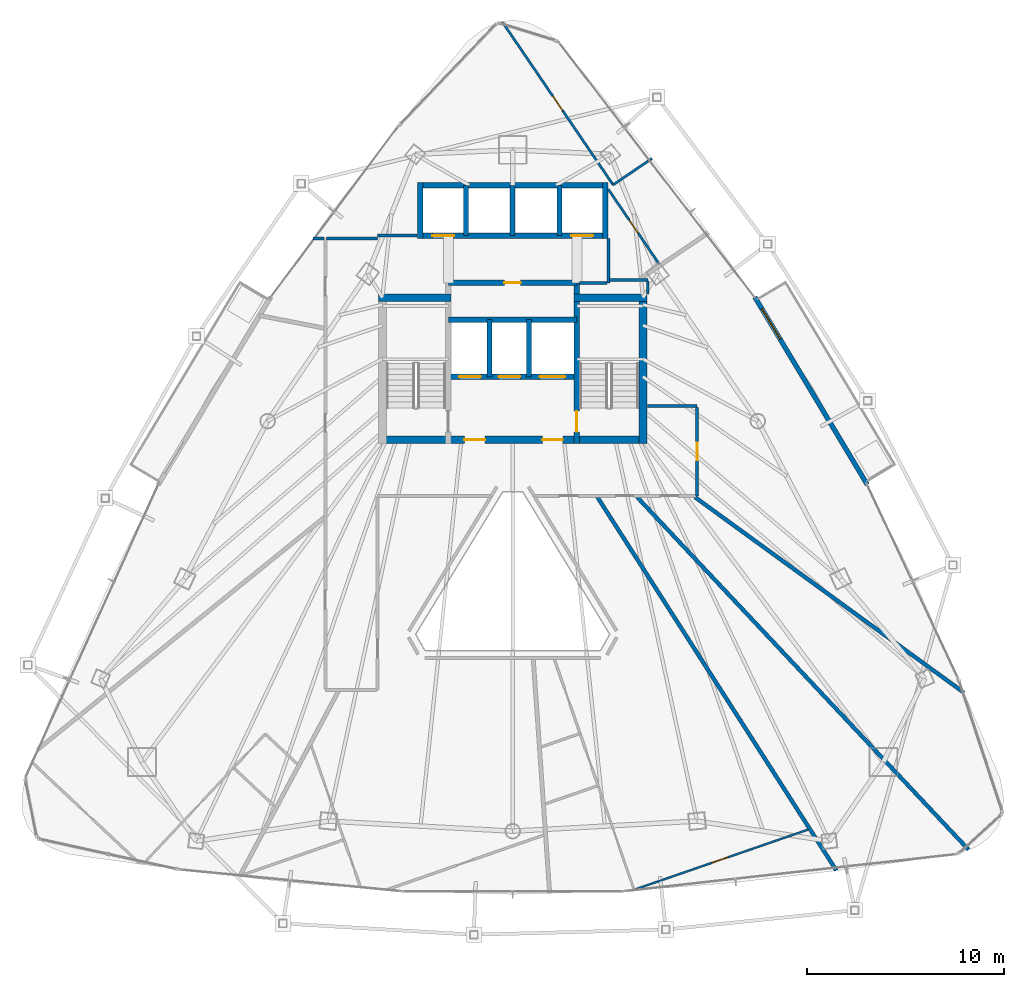
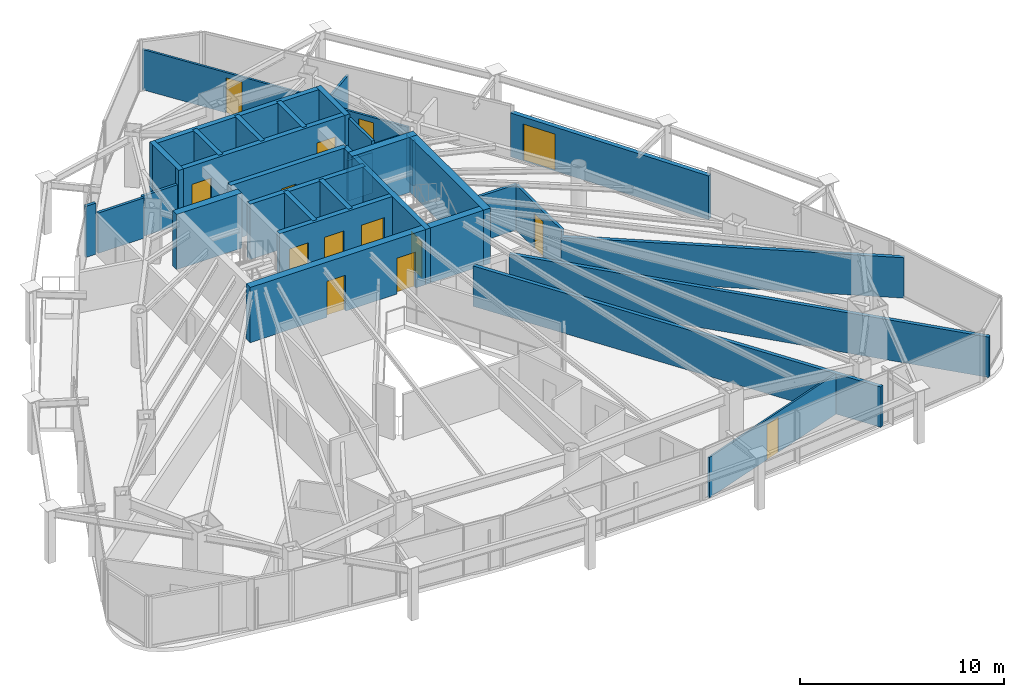
# One storey, part 25 of 29: 34 walls, 14 doors, 14 openings.
"""IFC4 building model written with IfcOpenShell, lengths in metres."""

import ifcopenshell
import ifcopenshell.guid

model = None  # the IFC model being written
_history = None  # IfcOwnerHistory: only IFC2X3 demands one
_inside = {}  # id of a spatial element -> (the spatial element, [elements in it])
_under = {}  # id of a project, library or spatial element -> (it, [spatial elements below it])
_declared = {}  # id of a project -> (the project, [libraries it declares])
_typed = {}  # id of a type object -> (the type object, [elements of that type])
_made_of = {}  # id of a material, layer set ... -> (it, [elements and type objects made of it])


def new_model(schema):
    """Start an empty IFC model of exactly this schema.

    Asked for "IFC4X3", IfcOpenShell would pick the latest addendum, in which some entities
    have other attributes; the version numbers below select the first issue.
    IFC2X3 requires an IfcOwnerHistory on every rooted entity: one is made here for all.
    """
    global model, _history
    if schema == "IFC4X3":
        model = ifcopenshell.file(schema_version=(4, 3, 0, 0))
    else:
        model = ifcopenshell.file(schema=schema)
    _inside.clear()
    _under.clear()
    _declared.clear()
    _typed.clear()
    _made_of.clear()
    _history = None
    if model.schema == "IFC2X3":
        org = make("IfcOrganization", Name="unknown")
        user = make(
            "IfcPersonAndOrganization",
            ThePerson=make("IfcPerson", FamilyName="unknown"),
            TheOrganization=org,
        )
        app = make(
            "IfcApplication",
            ApplicationDeveloper=org,
            Version="unknown",
            ApplicationFullName="unknown",
            ApplicationIdentifier="unknown",
        )
        _history = make(
            "IfcOwnerHistory",
            OwningUser=user,
            OwningApplication=app,
            ChangeAction="ADDED",
            CreationDate=0,
        )
    return model


def make(cls, **values):
    """One entity of the class cls with the attributes given. An attribute that is None is left unset."""
    return model.create_entity(
        cls, **{name: value for name, value in values.items() if value is not None}
    )


def rooted(cls, **values):
    """An entity with a GlobalId (a new one), such as an element, a storey or a relation."""
    return make(cls, GlobalId=ifcopenshell.guid.new(), OwnerHistory=_history, **values)


def si_unit(unit_type, name, prefix=None):
    """IfcSIUnit, for example si_unit("LENGTHUNIT", "METRE", prefix="MILLI")."""
    return make("IfcSIUnit", UnitType=unit_type, Prefix=prefix, Name=name)


def assignment(units):
    """IfcUnitAssignment: the units of a project."""
    return None if units is None else make("IfcUnitAssignment", Units=units)


def point(xyz):
    """IfcCartesianPoint."""
    return None if xyz is None else make("IfcCartesianPoint", Coordinates=xyz)


def direction(xyz):
    """IfcDirection."""
    return None if xyz is None else make("IfcDirection", DirectionRatios=xyz)


def frame(location, z_axis=None, x_axis=None):
    """IfcAxis2Placement3D, a coordinate frame: its origin and axes. An axis left out is left unset."""
    return make(
        "IfcAxis2Placement3D",
        Location=point(location),
        Axis=direction(z_axis),
        RefDirection=direction(x_axis),
    )


def frame_2d(location, x_axis=None):
    """IfcAxis2Placement2D, a coordinate frame in the plane: its origin and x axis."""
    return make(
        "IfcAxis2Placement2D", Location=point(location), RefDirection=direction(x_axis)
    )


def origin():
    """The frame at (0, 0, 0) with its axes left unset."""
    return frame((0.0, 0.0, 0.0))


def place(relative_to, where):
    """IfcLocalPlacement: puts the frame where relative to a parent placement (None: the world)."""
    return make(
        "IfcLocalPlacement", PlacementRelTo=relative_to, RelativePlacement=where
    )


def context(
    kind, dimensions, precision=None, world=None, true_north=None, identifier=None
):
    """IfcGeometricRepresentationContext, for example the 3D "Model" context."""
    return make(
        "IfcGeometricRepresentationContext",
        ContextIdentifier=identifier,
        ContextType=kind,
        CoordinateSpaceDimension=dimensions,
        Precision=precision,
        WorldCoordinateSystem=world,
        TrueNorth=true_north,
    )


def subcontext(parent, identifier, kind, view, scale=None):
    """IfcGeometricRepresentationSubContext, for example "Body" below "Model"."""
    return make(
        "IfcGeometricRepresentationSubContext",
        ContextIdentifier=identifier,
        ContextType=kind,
        ParentContext=parent,
        TargetScale=scale,
        TargetView=view,
    )


def project(units=None, contexts=None):
    """IfcProject with its units and contexts."""
    return rooted(
        "IfcProject",
        Name="project",
        RepresentationContexts=contexts,
        UnitsInContext=assignment(units),
    )


def spatial(cls, under=None, at=None, **own):
    """A site, building, storey or space (cls), placed at a placement, below another one or the project."""
    s = rooted(cls, ObjectPlacement=at, **own)
    if under is not None:
        _under.setdefault(under.id(), (under, []))[1].append(s)
    return s


def profile(cls, at=None, kind="AREA", **sizes):
    """A parametric profile (cls). Its sizes go by their IFC names, for example OverallWidth=200.0."""
    return make(cls, ProfileType=kind, Position=at, **sizes)


def rectangle(**sizes):
    """IfcRectangleProfileDef."""
    return profile("IfcRectangleProfileDef", **sizes)


def extrude(swept, where, along, depth):
    """IfcExtrudedAreaSolid: the profile swept, set in the frame where, extruded along a direction by depth."""
    return make(
        "IfcExtrudedAreaSolid",
        SweptArea=swept,
        Position=where,
        ExtrudedDirection=direction(along),
        Depth=depth,
    )


def shape(context_of_items, identifier, shape_type, items):
    """IfcShapeRepresentation: the items that make up one representation, for example the "Body"."""
    return make(
        "IfcShapeRepresentation",
        ContextOfItems=context_of_items,
        RepresentationIdentifier=identifier,
        RepresentationType=shape_type,
        Items=items,
    )


def material(Name=None, Category=None):
    """IfcMaterial."""
    return make("IfcMaterial", Name=Name, Category=Category)


def layer(
    of_material, thickness, ventilated=None, Name=None, Category=None, Priority=None
):
    """IfcMaterialLayer: one layer of a wall or slab, of a material (None: an air gap)."""
    return make(
        "IfcMaterialLayer",
        Material=of_material,
        LayerThickness=thickness,
        IsVentilated=ventilated,
        Name=Name,
        Category=Category,
        Priority=Priority,
    )


def layer_set(layers, Name=None):
    """IfcMaterialLayerSet."""
    return make("IfcMaterialLayerSet", MaterialLayers=layers, LayerSetName=Name)


def made_of(thing, what):
    """Note that an element or type object is made of a material, layer set ...; save() writes the relation."""
    if what is not None:
        _made_of.setdefault(what.id(), (what, []))[1].append(thing)
    return thing


def type_object(cls, material=None, **own):
    """A type object (cls), such as IfcWallType, which elements share."""
    return made_of(rooted(cls, **own), material)


def element(
    cls,
    number,
    at=None,
    inside=None,
    cuts=None,
    type_object=None,
    material=None,
    context=None,
    identifier="Body",
    shape_type=None,
    held_by="IfcProductDefinitionShape",
    body=None,
    shapes=None,
    **own,
):
    """One element of the class cls, such as IfcWall. Its Tag is "e" and its number.

    at: its placement. inside: the storey or other place that contains it. cuts: it is an
    opening in that element (IfcRelVoidsElement). A single representation is given by context,
    identifier, shape_type and body (its items); several are given by shapes. held_by: the class
    of the entity that holds the representations. save() writes the other relations.
    """
    e = rooted(cls, Tag="e%d" % number, ObjectPlacement=at, **own)
    if body is not None:
        shapes = [shape(context, identifier, shape_type, body)]
    if shapes is not None:
        e.Representation = make(held_by, Representations=shapes)
    if inside is not None:
        _inside.setdefault(inside.id(), (inside, []))[1].append(e)
    if cuts is not None:
        rooted(
            "IfcRelVoidsElement", RelatingBuildingElement=cuts, RelatedOpeningElement=e
        )
    if type_object is not None:
        _typed.setdefault(type_object.id(), (type_object, []))[1].append(e)
    return made_of(e, material)


def fill(opening, filler):
    """IfcRelFillsElement: the door or window that sits in an opening."""
    return rooted(
        "IfcRelFillsElement",
        RelatingOpeningElement=opening,
        RelatedBuildingElement=filler,
    )


def aggregate(whole, parts):
    """IfcRelAggregates: a whole, such as a stair, and the parts it consists of."""
    return rooted("IfcRelAggregates", RelatingObject=whole, RelatedObjects=parts)


def save(model, path):
    """Write the relations noted so far, then the file.

    IfcRelAggregates (storeys below a building ...), IfcRelContainedInSpatialStructure (elements
    in a storey), IfcRelDefinesByType, IfcRelAssociatesMaterial and IfcRelDeclares: one each for
    every whole, place, type object, material and project.
    """
    for whole, parts in _under.values():
        aggregate(whole, parts)
    for where, things in _inside.values():
        rooted(
            "IfcRelContainedInSpatialStructure",
            RelatedElements=things,
            RelatingStructure=where,
        )
    for kind, things in _typed.values():
        rooted("IfcRelDefinesByType", RelatedObjects=things, RelatingType=kind)
    for what, things in _made_of.values():
        rooted("IfcRelAssociatesMaterial", RelatedObjects=things, RelatingMaterial=what)
    for by, libraries in _declared.values():
        rooted("IfcRelDeclares", RelatingContext=by, RelatedDefinitions=libraries)
    model.write(path)


model = new_model("IFC4")

# Units and contexts
model_context = context("Model", 3, precision=1e-05, world=origin(), true_north=direction((0.0, 1.0)))
body_context = subcontext(model_context, "Body", "Model", "MODEL_VIEW")
ifc_project = project(units=[si_unit("LENGTHUNIT", "METRE"), si_unit("AREAUNIT", "SQUARE_METRE"), si_unit("VOLUMEUNIT", "CUBIC_METRE"), si_unit("PLANEANGLEUNIT", "RADIAN"), si_unit("MASSUNIT", "GRAM", prefix="KILO")], contexts=[model_context])

# Site, building, storey
site_placement = place(None, origin())
site = spatial("IfcSite", under=ifc_project, at=site_placement, CompositionType="ELEMENT")
building_placement = place(site_placement, origin())
building = spatial("IfcBuilding", under=site, at=building_placement, Name="Orvanel Arch Residences", CompositionType="ELEMENT")
storey_placement = place(building_placement, frame((0.0, 0.0, 167.14990234375)))
storey = spatial("IfcBuildingStorey", under=building, at=storey_placement, Name="L47", CompositionType="ELEMENT", Elevation=167.14990234375)

# Wall, opening, door
ifc_material_1 = material(Name="Precast concrete N50 (50 MPa)", Category="concrete")
ifc_layer_1 = layer(ifc_material_1, 0.239990234375)
ifc_layer_set_1 = layer_set([ifc_layer_1], Name="Precast concrete N50 (50 MPa)")
wall_type_1 = type_object("IfcWallType", Name="EW-BAL-240", PredefinedType="SOLIDWALL", material=ifc_layer_set_1)
wall_1_placement = place(storey_placement, frame((50.987060546875, 24.4208984375, 0.0), z_axis=(0.0, 0.0, 1.0), x_axis=(-0.514334017412, 0.85758994778, 0.0)))
wall_1 = element("IfcWall", 1, at=wall_1_placement, inside=storey, type_object=wall_type_1, Name="L47 Balcony Threshold Wall Face 3", PredefinedType="SOLIDWALL", context=body_context, shape_type="SweptSolid", body=[
    extrude(rectangle(XDim=11.099853515625, YDim=0.239990234375, at=frame_2d((5.5498046875, 0.0))), origin(), (0.0, 0.0, 1.0), 2.6240234375),
])
opening_1_placement = place(wall_1_placement, frame((8.60205078125, 0.0, 0.0)))
opening_1 = element("IfcOpeningElement", 2, at=opening_1_placement, cuts=wall_1, Name="Opening DB-180", PredefinedType="OPENING", context=body_context, shape_type="SweptSolid", body=[
    extrude(rectangle(XDim=1.800048828125, YDim=2.199951171875, at=frame_2d((0.89990234375, 1.10009765625))), frame((0.0, 0.1298828125, 0.0), z_axis=(0.0, -1.0, 0.0), x_axis=(1.0, 0.0, 0.0)), (0.0, 0.0, 1.0), 0.260009765625),
])
ifc_material_2 = material(Name="Bronze-anodised aluminium AA6063-T6", Category="aluminium")
door_type_1 = type_object("IfcDoorType", Name="DR-BAL-1800", OperationType="NOTDEFINED", PredefinedType="DOOR", material=ifc_material_2)
door_1_placement = place(opening_1_placement, origin())
door_1 = element("IfcDoor", 3, at=door_1_placement, inside=storey, type_object=door_type_1, Name="DR-L47-BAL-F3 L47 Planted Balcony Access Door Face 3", OperationType="SINGLE_SWING_RIGHT", OverallHeight=2.199951171875, OverallWidth=1.800048828125, PredefinedType="DOOR", context=body_context, shape_type="SweptSolid", body=[
    extrude(rectangle(XDim=1.800048828125, YDim=2.199951171875, at=frame_2d((0.89990234375, 1.10009765625))), frame((0.0, 0.02490234375, 0.0), z_axis=(0.0, -1.0, 0.0), x_axis=(1.0, 0.0, 0.0)), (0.0, 0.0, 1.0), 0.050048828125),
])
fill(opening_1, door_1)

# Walls
ifc_material_3 = material(Name="Concrete N50 (50 MPa)", Category="concrete")
ifc_layer_2 = layer(ifc_material_3, 0.25)
ifc_layer_set_2 = layer_set([ifc_layer_2], Name="Concrete N50 (50 MPa)")
wall_type_2 = type_object("IfcWallType", Name="SW-CORE-250", PredefinedType="SHEAR", material=ifc_layer_set_2)
for number, where, z_axis, x_axis, name in (
    (4, (31.824951171875, 29.889892578125, 0.0), (0.0, 0.0, 1.0), (0.0, 1.0, 0.0), "L47 Emergency Lift Inter-Shaft Wall F12"),
    (5, (33.824951171875, 29.889892578125, 0.0), (0.0, 0.0, 1.0), (0.0, 1.0, 0.0), "L47 Emergency Lift Inter-Shaft Wall F2G"),
):
    element("IfcWall", number, at=place(storey_placement, frame(where, z_axis=z_axis, x_axis=x_axis)), inside=storey, type_object=wall_type_2, Name=name, PredefinedType="SHEAR", context=body_context, shape_type="SweptSolid", body=[
        extrude(rectangle(XDim=2.900146484375, YDim=0.25, at=frame_2d((1.4501953125, 0.0))), origin(), (0.0, 0.0, 1.0), 3.300048828125),
    ])
for number, where, z_axis, x_axis, name in (
    (6, (30.625, 37.050048828125, 0.0), (0.0, 0.0, 1.0), (0.0, 1.0, 0.0), "L47 Passenger Lift Inter-Shaft Wall P35"),
    (7, (33.0, 37.050048828125, 0.0), (0.0, 0.0, 1.0), (0.0, 1.0, 0.0), "L47 Passenger Lift Inter-Shaft Wall P56"),
    (8, (35.375, 37.050048828125, 0.0), (0.0, 0.0, 1.0), (0.0, 1.0, 0.0), "L47 Passenger Lift Inter-Shaft Wall P64"),
):
    element("IfcWall", number, at=place(storey_placement, frame(where, z_axis=z_axis, x_axis=x_axis)), inside=storey, type_object=wall_type_2, Name=name, PredefinedType="SHEAR", context=body_context, shape_type="SweptSolid", body=[
        extrude(rectangle(XDim=2.550048828125, YDim=0.25, at=frame_2d((1.27490234375, 0.0))), origin(), (0.0, 0.0, 1.0), 3.300048828125),
    ])

# Wall, opening, door
ifc_material_4 = material(Name="Concrete S65 (65 MPa)", Category="concrete")
ifc_layer_3 = layer(ifc_material_4, 0.280029296875)
ifc_layer_set_3 = layer_set([ifc_layer_3], Name="Concrete S65 (65 MPa)")
wall_type_3 = type_object("IfcWallType", Name="SW-CORE-280", PredefinedType="SHEAR", material=ifc_layer_set_3)
wall_2_placement = place(storey_placement, frame((36.260009765625, 26.5, 0.0), z_axis=(0.0, 0.0, 1.0), x_axis=(0.0, 1.0, 0.0)))
wall_2 = element("IfcWall", 9, at=wall_2_placement, inside=storey, type_object=wall_type_3, Name="L47 East Inner Core Spine Shear Wall", PredefinedType="SHEAR", context=body_context, shape_type="SweptSolid", body=[
    extrude(rectangle(XDim=8.14990234375, YDim=0.280029296875, at=frame_2d((4.074951171875, 0.0))), origin(), (0.0, 0.0, 1.0), 3.300048828125),
])
opening_2_placement = place(wall_2_placement, frame((0.60009765625, 0.0, 0.0)))
opening_2 = element("IfcOpeningElement", 10, at=opening_2_placement, cuts=wall_2, Name="Opening DF-120", PredefinedType="OPENING", context=body_context, shape_type="SweptSolid", body=[
    extrude(rectangle(XDim=1.050048828125, YDim=2.14990234375, at=frame_2d((0.52490234375, 1.074951171875))), frame((0.0, 0.14990234375, 0.0), z_axis=(0.0, -1.0, 0.0), x_axis=(1.0, 0.0, 0.0)), (0.0, 0.0, 1.0), 0.300048828125),
])
ifc_material_5 = material(Name="Galvanised steel fire-resisting door assembly", Category="steel")
door_type_2 = type_object("IfcDoorType", Name="DR-FD120-1050", OperationType="NOTDEFINED", PredefinedType="DOOR", material=ifc_material_5)
door_2_placement = place(opening_2_placement, origin())
door_2 = element("IfcDoor", 11, at=door_2_placement, inside=storey, type_object=door_type_2, Name="DR-L47-ST2 L47 Stair 2 Fire Door", OperationType="SINGLE_SWING_RIGHT", OverallHeight=2.14990234375, OverallWidth=1.050048828125, PredefinedType="DOOR", context=body_context, shape_type="SweptSolid", body=[
    extrude(rectangle(XDim=1.050048828125, YDim=2.14990234375, at=frame_2d((0.52490234375, 1.074951171875))), frame((0.0, 0.02490234375, 0.0), z_axis=(0.0, -1.0, 0.0), x_axis=(1.0, 0.0, 0.0)), (0.0, 0.0, 1.0), 0.050048828125),
])
fill(opening_2, door_2)

# Wall, openings, doors
wall_3_placement = place(storey_placement, frame((36.260009765625, 29.889892578125, 0.0), z_axis=(0.0, 0.0, 1.0), x_axis=(-1.0, 0.0, 0.0)))
wall_3 = element("IfcWall", 12, at=wall_3_placement, inside=storey, type_object=wall_type_3, Name="L47 Emergency Lift Front Core Shear Wall", PredefinedType="SHEAR", context=body_context, shape_type="SweptSolid", body=[
    extrude(rectangle(XDim=6.52001953125, YDim=0.280029296875, at=frame_2d((3.260009765625, 0.0))), origin(), (0.0, 0.0, 1.0), 3.300048828125),
])
opening_3_placement = place(wall_3_placement, frame((4.875, 0.0, 0.0)))
opening_3 = element("IfcOpeningElement", 13, at=opening_3_placement, cuts=wall_3, Name="Opening LD-110", PredefinedType="OPENING", context=body_context, shape_type="SweptSolid", body=[
    extrude(rectangle(XDim=1.10009765625, YDim=2.199951171875, at=frame_2d((0.550048828125, 1.10009765625))), frame((0.0, 0.14990234375, 0.0), z_axis=(0.0, -1.0, 0.0), x_axis=(1.0, 0.0, 0.0)), (0.0, 0.0, 1.0), 0.300048828125),
])
opening_4_placement = place(wall_3_placement, frame((2.875, 0.0, 0.0)))
opening_4 = element("IfcOpeningElement", 14, at=opening_4_placement, cuts=wall_3, Name="Opening LD-110", PredefinedType="OPENING", context=body_context, shape_type="SweptSolid", body=[
    extrude(rectangle(XDim=1.10009765625, YDim=2.199951171875, at=frame_2d((0.550048828125, 1.10009765625))), frame((0.0, 0.14990234375, 0.0), z_axis=(0.0, -1.0, 0.0), x_axis=(1.0, 0.0, 0.0)), (0.0, 0.0, 1.0), 0.300048828125),
])
opening_5_placement = place(wall_3_placement, frame((0.60009765625, 0.0, 0.0)))
opening_5 = element("IfcOpeningElement", 15, at=opening_5_placement, cuts=wall_3, Name="Opening LD-130", PredefinedType="OPENING", context=body_context, shape_type="SweptSolid", body=[
    extrude(rectangle(XDim=1.300048828125, YDim=2.199951171875, at=frame_2d((0.64990234375, 1.10009765625))), frame((0.0, 0.14990234375, 0.0), z_axis=(0.0, -1.0, 0.0), x_axis=(1.0, 0.0, 0.0)), (0.0, 0.0, 1.0), 0.300048828125),
])
door_type_3 = type_object("IfcDoorType", Name="DR-LFT-1100", OperationType="NOTDEFINED", PredefinedType="DOOR", material=ifc_material_5)
door_3_placement = place(opening_3_placement, origin())
door_3 = element("IfcDoor", 16, at=door_3_placement, inside=storey, type_object=door_type_3, Name="LD-F1-L47 L47 Lift F1 Sliding Landing Door", OperationType="DOUBLE_DOOR_SLIDING", OverallHeight=2.199951171875, OverallWidth=1.10009765625, PredefinedType="DOOR", context=body_context, shape_type="SweptSolid", body=[
    extrude(rectangle(XDim=1.10009765625, YDim=2.199951171875, at=frame_2d((0.550048828125, 1.10009765625))), frame((0.0, 0.02490234375, 0.0), z_axis=(0.0, -1.0, 0.0), x_axis=(1.0, 0.0, 0.0)), (0.0, 0.0, 1.0), 0.050048828125),
])
fill(opening_3, door_3)
door_4_placement = place(opening_4_placement, origin())
door_4 = element("IfcDoor", 17, at=door_4_placement, inside=storey, type_object=door_type_3, Name="LD-F2-L47 L47 Lift F2 Sliding Landing Door", OperationType="DOUBLE_DOOR_SLIDING", OverallHeight=2.199951171875, OverallWidth=1.10009765625, PredefinedType="DOOR", context=body_context, shape_type="SweptSolid", body=[
    extrude(rectangle(XDim=1.10009765625, YDim=2.199951171875, at=frame_2d((0.550048828125, 1.10009765625))), frame((0.0, 0.02490234375, 0.0), z_axis=(0.0, -1.0, 0.0), x_axis=(1.0, 0.0, 0.0)), (0.0, 0.0, 1.0), 0.050048828125),
])
fill(opening_4, door_4)
door_type_4 = type_object("IfcDoorType", Name="DR-LFT-1300", OperationType="NOTDEFINED", PredefinedType="DOOR", material=ifc_material_5)
door_5_placement = place(opening_5_placement, origin())
door_5 = element("IfcDoor", 18, at=door_5_placement, inside=storey, type_object=door_type_4, Name="LD-G1-L47 L47 Lift G1 Sliding Landing Door", OperationType="DOUBLE_DOOR_SLIDING", OverallHeight=2.199951171875, OverallWidth=1.300048828125, PredefinedType="DOOR", context=body_context, shape_type="SweptSolid", body=[
    extrude(rectangle(XDim=1.300048828125, YDim=2.199951171875, at=frame_2d((0.64990234375, 1.10009765625))), frame((0.0, 0.02490234375, 0.0), z_axis=(0.0, -1.0, 0.0), x_axis=(1.0, 0.0, 0.0)), (0.0, 0.0, 1.0), 0.050048828125),
])
fill(opening_5, door_5)

# Wall
wall_4_placement = place(storey_placement, frame((29.739990234375, 32.7900390625, 0.0), z_axis=(0.0, 0.0, 1.0), x_axis=(1.0, 0.0, 0.0)))
element("IfcWall", 19, at=wall_4_placement, inside=storey, type_object=wall_type_3, Name="L47 Emergency Lift Back Core Shear Wall", PredefinedType="SHEAR", context=body_context, shape_type="SweptSolid", body=[
    extrude(rectangle(XDim=6.52001953125, YDim=0.280029296875, at=frame_2d((3.260009765625, 0.0))), origin(), (0.0, 0.0, 1.0), 3.300048828125),
])

# Wall, opening, door
wall_5_placement = place(storey_placement, frame((29.739990234375, 34.64990234375, 0.0), z_axis=(0.0, 0.0, 1.0), x_axis=(1.0, 0.0, 0.0)))
wall_5 = element("IfcWall", 20, at=wall_5_placement, inside=storey, type_object=wall_type_3, Name="L47 Core Service Band North Shear Wall", PredefinedType="SHEAR", context=body_context, shape_type="SweptSolid", body=[
    extrude(rectangle(XDim=6.52001953125, YDim=0.280029296875, at=frame_2d((3.260009765625, 0.0))), origin(), (0.0, 0.0, 1.0), 3.300048828125),
])
opening_6_placement = place(wall_5_placement, frame((2.840087890625, 0.0, 0.0)))
opening_6 = element("IfcOpeningElement", 21, at=opening_6_placement, cuts=wall_5, Name="Opening DS-082", PredefinedType="OPENING", context=body_context, shape_type="SweptSolid", body=[
    extrude(rectangle(XDim=0.820068359375, YDim=2.10009765625, at=frame_2d((0.41015625, 1.050048828125))), frame((0.0, 0.14990234375, 0.0), z_axis=(0.0, -1.0, 0.0), x_axis=(1.0, 0.0, 0.0)), (0.0, 0.0, 1.0), 0.300048828125),
])
door_type_5 = type_object("IfcDoorType", Name="DR-SVC-820", OperationType="NOTDEFINED", PredefinedType="DOOR", material=ifc_material_5)
door_6_placement = place(opening_6_placement, origin())
door_6 = element("IfcDoor", 22, at=door_6_placement, inside=storey, type_object=door_type_5, Name="DR-L47-CSVC-1 L47 Housekeeping Linen Store Door", OperationType="SINGLE_SWING_LEFT", OverallHeight=2.10009765625, OverallWidth=0.820068359375, PredefinedType="DOOR", context=body_context, shape_type="SweptSolid", body=[
    extrude(rectangle(XDim=0.820068359375, YDim=2.10009765625, at=frame_2d((0.41015625, 1.050048828125))), frame((0.0, 0.02490234375, 0.0), z_axis=(0.0, -1.0, 0.0), x_axis=(1.0, 0.0, 0.0)), (0.0, 0.0, 1.0), 0.050048828125),
])
fill(opening_6, door_6)

# Wall, openings, doors
wall_6_placement = place(storey_placement, frame((37.840087890625, 37.050048828125, 0.0), z_axis=(0.0, 0.0, 1.0), x_axis=(-1.0, 0.0, 0.0)))
wall_6 = element("IfcWall", 23, at=wall_6_placement, inside=storey, type_object=wall_type_3, Name="L47 Passenger Lift Bank Front Shear Wall", PredefinedType="SHEAR", context=body_context, shape_type="SweptSolid", body=[
    extrude(rectangle(XDim=9.68017578125, YDim=0.280029296875, at=frame_2d((4.840087890625, 0.0))), origin(), (0.0, 0.0, 1.0), 3.300048828125),
])
opening_7_placement = place(wall_6_placement, frame((7.81494140625, 0.0, 0.0)))
opening_7 = element("IfcOpeningElement", 24, at=opening_7_placement, cuts=wall_6, Name="Opening LD-110", PredefinedType="OPENING", context=body_context, shape_type="SweptSolid", body=[
    extrude(rectangle(XDim=1.10009765625, YDim=2.199951171875, at=frame_2d((0.550048828125, 1.10009765625))), frame((0.0, 0.14990234375, 0.0), z_axis=(0.0, -1.0, 0.0), x_axis=(1.0, 0.0, 0.0)), (0.0, 0.0, 1.0), 0.300048828125),
])
opening_8_placement = place(wall_6_placement, frame((0.764892578125, 0.0, 0.0)))
opening_8 = element("IfcOpeningElement", 25, at=opening_8_placement, cuts=wall_6, Name="Opening LD-110", PredefinedType="OPENING", context=body_context, shape_type="SweptSolid", body=[
    extrude(rectangle(XDim=1.10009765625, YDim=2.199951171875, at=frame_2d((0.550048828125, 1.10009765625))), frame((0.0, 0.14990234375, 0.0), z_axis=(0.0, -1.0, 0.0), x_axis=(1.0, 0.0, 0.0)), (0.0, 0.0, 1.0), 0.300048828125),
])
door_7_placement = place(opening_7_placement, origin())
door_7 = element("IfcDoor", 26, at=door_7_placement, inside=storey, type_object=door_type_3, Name="LD-P3-L47 L47 Passenger Lift P3 Sliding Landing Door", OperationType="DOUBLE_DOOR_SLIDING", OverallHeight=2.199951171875, OverallWidth=1.10009765625, PredefinedType="DOOR", context=body_context, shape_type="SweptSolid", body=[
    extrude(rectangle(XDim=1.10009765625, YDim=2.199951171875, at=frame_2d((0.550048828125, 1.10009765625))), frame((0.0, 0.02490234375, 0.0), z_axis=(0.0, -1.0, 0.0), x_axis=(1.0, 0.0, 0.0)), (0.0, 0.0, 1.0), 0.050048828125),
])
fill(opening_7, door_7)
door_8_placement = place(opening_8_placement, origin())
door_8 = element("IfcDoor", 27, at=door_8_placement, inside=storey, type_object=door_type_3, Name="LD-P4-L47 L47 Passenger Lift P4 Sliding Landing Door", OperationType="DOUBLE_DOOR_SLIDING", OverallHeight=2.199951171875, OverallWidth=1.10009765625, PredefinedType="DOOR", context=body_context, shape_type="SweptSolid", body=[
    extrude(rectangle(XDim=1.10009765625, YDim=2.199951171875, at=frame_2d((0.550048828125, 1.10009765625))), frame((0.0, 0.02490234375, 0.0), z_axis=(0.0, -1.0, 0.0), x_axis=(1.0, 0.0, 0.0)), (0.0, 0.0, 1.0), 0.050048828125),
])
fill(opening_8, door_8)

# Walls
wall_7_placement = place(storey_placement, frame((28.159912109375, 39.60009765625, 0.0), z_axis=(0.0, 0.0, 1.0), x_axis=(1.0, 0.0, 0.0)))
element("IfcWall", 28, at=wall_7_placement, inside=storey, type_object=wall_type_3, Name="L47 Passenger Lift Bank North Shear Wall", PredefinedType="SHEAR", context=body_context, shape_type="SweptSolid", body=[
    extrude(rectangle(XDim=9.68017578125, YDim=0.280029296875, at=frame_2d((4.840087890625, 0.0))), origin(), (0.0, 0.0, 1.0), 3.300048828125),
])
for number, where, z_axis, x_axis, name in (
    (29, (28.300048828125, 36.909912109375, 0.0), (0.0, 0.0, 1.0), (0.0, 1.0, 0.0), "L47 Passenger Lift Bank West Shear Wall"),
    (30, (37.699951171875, 36.909912109375, 0.0), (0.0, 0.0, 1.0), (0.0, 1.0, 0.0), "L47 Passenger Lift Bank East Shear Wall"),
):
    element("IfcWall", number, at=place(storey_placement, frame(where, z_axis=z_axis, x_axis=x_axis)), inside=storey, type_object=wall_type_3, Name=name, PredefinedType="SHEAR", context=body_context, shape_type="SweptSolid", body=[
        extrude(rectangle(XDim=2.830078125, YDim=0.280029296875, at=frame_2d((1.4150390625, 0.0))), origin(), (0.0, 0.0, 1.0), 3.300048828125),
    ])

# Wall, openings, doors
ifc_layer_4 = layer(ifc_material_4, 0.39990234375)
ifc_layer_set_4 = layer_set([ifc_layer_4], Name="Concrete S65 (65 MPa)")
wall_type_4 = type_object("IfcWallType", Name="SW-CORE-400", PredefinedType="SHEAR", material=ifc_layer_set_4)
wall_8_placement = place(storey_placement, frame((26.199951171875, 26.699951171875, 0.0), z_axis=(0.0, 0.0, 1.0), x_axis=(1.0, 0.0, 0.0)))
wall_8 = element("IfcWall", 31, at=wall_8_placement, inside=storey, type_object=wall_type_4, Name="L47 South Core Shear Wall", PredefinedType="SHEAR", context=body_context, shape_type="SweptSolid", body=[
    extrude(rectangle(XDim=13.60009765625, YDim=0.39990234375, at=frame_2d((6.800048828125, 0.0))), origin(), (0.0, 0.0, 1.0), 3.300048828125),
])
opening_9_placement = place(wall_8_placement, frame((4.35009765625, 0.0, 0.0)))
opening_9 = element("IfcOpeningElement", 32, at=opening_9_placement, cuts=wall_8, Name="Opening DF-060", PredefinedType="OPENING", context=body_context, shape_type="SweptSolid", body=[
    extrude(rectangle(XDim=1.050048828125, YDim=2.14990234375, at=frame_2d((0.52490234375, 1.074951171875))), frame((0.0, 0.2099609375, 0.0), z_axis=(0.0, -1.0, 0.0), x_axis=(1.0, 0.0, 0.0)), (0.0, 0.0, 1.0), 0.419921875),
])
opening_10_placement = place(wall_8_placement, frame((8.300048828125, 0.0, 0.0)))
opening_10 = element("IfcOpeningElement", 33, at=opening_10_placement, cuts=wall_8, Name="Opening DF-060", PredefinedType="OPENING", context=body_context, shape_type="SweptSolid", body=[
    extrude(rectangle(XDim=1.050048828125, YDim=2.14990234375, at=frame_2d((0.52490234375, 1.074951171875))), frame((0.0, 0.2099609375, 0.0), z_axis=(0.0, -1.0, 0.0), x_axis=(1.0, 0.0, 0.0)), (0.0, 0.0, 1.0), 0.419921875),
])
door_type_6 = type_object("IfcDoorType", Name="DR-FD60-1050", OperationType="NOTDEFINED", PredefinedType="DOOR", material=ifc_material_5)
door_9_placement = place(opening_9_placement, origin())
door_9 = element("IfcDoor", 34, at=door_9_placement, inside=storey, type_object=door_type_6, Name="DR-L47-FFL-W L47 West Smoke Lobby Door", OperationType="SINGLE_SWING_LEFT", OverallHeight=2.14990234375, OverallWidth=1.050048828125, PredefinedType="DOOR", context=body_context, shape_type="SweptSolid", body=[
    extrude(rectangle(XDim=1.050048828125, YDim=2.14990234375, at=frame_2d((0.52490234375, 1.074951171875))), frame((0.0, 0.02490234375, 0.0), z_axis=(0.0, -1.0, 0.0), x_axis=(1.0, 0.0, 0.0)), (0.0, 0.0, 1.0), 0.050048828125),
])
fill(opening_9, door_9)
door_10_placement = place(opening_10_placement, origin())
door_10 = element("IfcDoor", 35, at=door_10_placement, inside=storey, type_object=door_type_6, Name="DR-L47-FFL-E L47 East Smoke Lobby Door", OperationType="SINGLE_SWING_RIGHT", OverallHeight=2.14990234375, OverallWidth=1.050048828125, PredefinedType="DOOR", context=body_context, shape_type="SweptSolid", body=[
    extrude(rectangle(XDim=1.050048828125, YDim=2.14990234375, at=frame_2d((0.52490234375, 1.074951171875))), frame((0.0, 0.02490234375, 0.0), z_axis=(0.0, -1.0, 0.0), x_axis=(1.0, 0.0, 0.0)), (0.0, 0.0, 1.0), 0.050048828125),
])
fill(opening_10, door_10)

# Walls
wall_9_placement = place(storey_placement, frame((26.199951171875, 33.89990234375, 0.0), z_axis=(0.0, 0.0, 1.0), x_axis=(1.0, 0.0, 0.0)))
element("IfcWall", 36, at=wall_9_placement, inside=storey, type_object=wall_type_4, Name="L47 West Stair North Shear Wall", PredefinedType="SHEAR", context=body_context, shape_type="SweptSolid", body=[
    extrude(rectangle(XDim=3.679931640625, YDim=0.39990234375, at=frame_2d((1.83984375, 0.0))), origin(), (0.0, 0.0, 1.0), 3.300048828125),
])
wall_10_placement = place(storey_placement, frame((39.60009765625, 26.5, 0.0), z_axis=(0.0, 0.0, 1.0), x_axis=(0.0, 1.0, 0.0)))
element("IfcWall", 37, at=wall_10_placement, inside=storey, type_object=wall_type_4, Name="L47 East Stair Shear Wall", PredefinedType="SHEAR", context=body_context, shape_type="SweptSolid", body=[
    extrude(rectangle(XDim=7.60009765625, YDim=0.39990234375, at=frame_2d((3.800048828125, 0.0))), origin(), (0.0, 0.0, 1.0), 3.300048828125),
])
wall_11_placement = place(storey_placement, frame((36.1201171875, 33.89990234375, 0.0), z_axis=(0.0, 0.0, 1.0), x_axis=(1.0, 0.0, 0.0)))
element("IfcWall", 38, at=wall_11_placement, inside=storey, type_object=wall_type_4, Name="L47 East Stair North Shear Wall", PredefinedType="SHEAR", context=body_context, shape_type="SweptSolid", body=[
    extrude(rectangle(XDim=3.679931640625, YDim=0.39990234375, at=frame_2d((1.83984375, 0.0))), origin(), (0.0, 0.0, 1.0), 3.300048828125),
])
ifc_material_6 = material(Name="Fire-rated plasterboard lined steel stud partition", Category="steel")
ifc_layer_5 = layer(ifc_material_6, 0.14990234375)
ifc_layer_set_5 = layer_set([ifc_layer_5], Name="Fire-rated plasterboard lined steel stud partition")
wall_type_5 = type_object("IfcWallType", Name="W-COR-150", PredefinedType="PARTITIONING", material=ifc_layer_set_5)
wall_12_placement = place(storey_placement, frame((37.85009765625, 34.64990234375, 0.0), z_axis=(0.0, 0.0, 1.0), x_axis=(0.0, 1.0, 0.0)))
element("IfcWall", 39, at=wall_12_placement, inside=storey, type_object=wall_type_5, Name="L47 Passenger Lift Lobby East Closure Wall", PredefinedType="PARTITIONING", context=body_context, shape_type="SweptSolid", body=[
    extrude(rectangle(XDim=2.260009765625, YDim=0.14990234375, at=frame_2d((1.1298828125, 0.0))), origin(), (0.0, 0.0, 1.0), 3.06005859375),
])
wall_13_placement = place(storey_placement, frame((36.385009765625, 34.64990234375, 0.0), z_axis=(0.0, 0.0, 1.0), x_axis=(1.0, 0.0, 0.0)))
element("IfcWall", 40, at=wall_13_placement, inside=storey, type_object=wall_type_5, Name="L47 Passenger Lift Lobby South-East Wall", PredefinedType="PARTITIONING", context=body_context, shape_type="SweptSolid", body=[
    extrude(rectangle(XDim=1.405029296875, YDim=0.14990234375, at=frame_2d((0.70263671875, 0.0))), origin(), (0.0, 0.0, 1.0), 2.425048828125),
])
wall_14_placement = place(storey_placement, frame((22.864990234375, 36.89990234375, 0.0), z_axis=(0.0, 0.0, 1.0), x_axis=(1.0, 0.0, 0.0)))
element("IfcWall", 41, at=wall_14_placement, inside=storey, type_object=wall_type_5, Name="L47 Corridor Fire-Rated Partition", PredefinedType="PARTITIONING", context=body_context, shape_type="SweptSolid", body=[
    extrude(rectangle(XDim=0.574951171875, YDim=0.14990234375, at=frame_2d((0.28759765625, 0.0))), origin(), (0.0, 0.0, 1.0), 3.06005859375),
])
wall_15_placement = place(storey_placement, frame((23.56005859375, 36.89990234375, 0.0), z_axis=(0.0, 0.0, 1.0), x_axis=(1.0, 0.0, 0.0)))
element("IfcWall", 42, at=wall_15_placement, inside=storey, type_object=wall_type_5, Name="L47 Corridor Fire-Rated Partition", PredefinedType="PARTITIONING", context=body_context, shape_type="SweptSolid", body=[
    extrude(rectangle(XDim=2.58984375, YDim=0.14990234375, at=frame_2d((1.294921875, 0.0))), origin(), (0.0, 0.0, 1.0), 2.4130859375),
])
wall_16_placement = place(storey_placement, frame((39.85009765625, 28.39990234375, 0.0), z_axis=(0.0, 0.0, 1.0), x_axis=(1.0, 0.0, 0.0)))
element("IfcWall", 43, at=wall_16_placement, inside=storey, type_object=wall_type_5, Name="L47 Corridor Fire-Rated Partition", PredefinedType="PARTITIONING", context=body_context, shape_type="SweptSolid", body=[
    extrude(rectangle(XDim=2.5, YDim=0.14990234375, at=frame_2d((1.25, 0.0))), origin(), (0.0, 0.0, 1.0), 2.72119140625),
])

# Wall, opening, door
wall_17_placement = place(storey_placement, frame((42.35009765625, 28.340087890625, 0.0), z_axis=(0.0, 0.0, 1.0), x_axis=(0.0, -1.0, 0.0)))
wall_17 = element("IfcWall", 44, at=wall_17_placement, inside=storey, type_object=wall_type_5, Name="L47 Corridor Fire-Rated Partition", PredefinedType="PARTITIONING", context=body_context, shape_type="SweptSolid", body=[
    extrude(rectangle(XDim=4.489990234375, YDim=0.14990234375, at=frame_2d((2.2451171875, 0.0))), origin(), (0.0, 0.0, 1.0), 2.72119140625),
])
opening_11_placement = place(wall_17_placement, frame((1.804931640625, 0.0, 0.0)))
opening_11 = element("IfcOpeningElement", 45, at=opening_11_placement, cuts=wall_17, Name="Opening DI-088", PredefinedType="OPENING", context=body_context, shape_type="SweptSolid", body=[
    extrude(rectangle(XDim=0.8798828125, YDim=2.10009765625, at=frame_2d((0.43994140625, 1.050048828125))), frame((0.0, 0.0849609375, 0.0), z_axis=(0.0, -1.0, 0.0), x_axis=(1.0, 0.0, 0.0)), (0.0, 0.0, 1.0), 0.169921875),
])
ifc_material_7 = material(Name="Solid-core European oak veneer fire door leaf", Category="wood")
door_type_7 = type_object("IfcDoorType", Name="DR-INT-880", OperationType="NOTDEFINED", PredefinedType="DOOR", material=ifc_material_7)
door_11_placement = place(opening_11_placement, origin())
door_11 = element("IfcDoor", 46, at=door_11_placement, inside=storey, type_object=door_type_7, Name="DR-L47-SHRD-FB4 L47 Co-Working Study Office D Door", OperationType="SINGLE_SWING_LEFT", OverallHeight=2.10009765625, OverallWidth=0.8798828125, PredefinedType="DOOR", context=body_context, shape_type="SweptSolid", body=[
    extrude(rectangle(XDim=0.8798828125, YDim=2.10009765625, at=frame_2d((0.43994140625, 1.050048828125))), frame((0.0, 0.02490234375, 0.0), z_axis=(0.0, -1.0, 0.0), x_axis=(1.0, 0.0, 0.0)), (0.0, 0.0, 1.0), 0.050048828125),
])
fill(opening_11, door_11)

# Walls
wall_18_placement = place(storey_placement, frame((26.14990234375, 37.050048828125, 0.0), z_axis=(0.0, 0.0, 1.0), x_axis=(1.0, 0.0, 0.0)))
element("IfcWall", 47, at=wall_18_placement, inside=storey, type_object=wall_type_5, Name="L47 Core Perimeter Partition", PredefinedType="PARTITIONING", context=body_context, shape_type="SweptSolid", body=[
    extrude(rectangle(XDim=2.0, YDim=0.14990234375, at=frame_2d((1.0, 0.0))), origin(), (0.0, 0.0, 1.0), 2.4130859375),
])
wall_19_placement = place(storey_placement, frame((37.909912109375, 34.800048828125, 0.0), z_axis=(0.0, 0.0, 1.0), x_axis=(1.0, 0.0, 0.0)))
element("IfcWall", 48, at=wall_19_placement, inside=storey, type_object=wall_type_5, Name="L47 Core Perimeter Partition", PredefinedType="PARTITIONING", context=body_context, shape_type="SweptSolid", body=[
    extrude(rectangle(XDim=1.940185546875, YDim=0.14990234375, at=frame_2d((0.97021484375, 0.0))), origin(), (0.0, 0.0, 1.0), 2.72119140625),
])
wall_20_placement = place(storey_placement, frame((39.85009765625, 34.739990234375, 0.0), z_axis=(0.0, 0.0, 1.0), x_axis=(0.0, -1.0, 0.0)))
element("IfcWall", 49, at=wall_20_placement, inside=storey, type_object=wall_type_5, Name="L47 Core Perimeter Partition", PredefinedType="PARTITIONING", context=body_context, shape_type="SweptSolid", body=[
    extrude(rectangle(XDim=0.639892578125, YDim=0.14990234375, at=frame_2d((0.31982421875, 0.0))), origin(), (0.0, 0.0, 1.0), 2.72119140625),
])
ifc_layer_6 = layer(ifc_material_6, 0.199951171875)
ifc_layer_set_6 = layer_set([ifc_layer_6], Name="Fire-rated plasterboard lined steel stud partition")
wall_type_6 = type_object("IfcWallType", Name="W-DEM-200", PredefinedType="PARTITIONING", material=ifc_layer_set_6)
wall_21_placement = place(storey_placement, frame((37.294921875, 23.7900390625, 0.0), z_axis=(0.0, 0.0, 1.0), x_axis=(0.539100523601, -0.842241429433, 0.0)))
element("IfcWall", 50, at=wall_21_placement, inside=storey, type_object=wall_type_6, Name="L47 Inter-Tenancy Acoustic Demising Wall", PredefinedType="PARTITIONING", context=body_context, shape_type="SweptSolid", body=[
    extrude(rectangle(XDim=22.487548828125, YDim=0.199951171875, at=frame_2d((11.24365234375, 0.0))), origin(), (0.0, 0.0, 1.0), 2.4130859375),
])
wall_22_placement = place(storey_placement, frame((55.89599609375, 13.864990234375, 0.0), z_axis=(0.0, 0.0, 1.0), x_axis=(-0.809001736781, 0.587806251995, 0.0)))
element("IfcWall", 51, at=wall_22_placement, inside=storey, type_object=wall_type_6, Name="L47 Inter-Tenancy Acoustic Demising Wall", PredefinedType="PARTITIONING", context=body_context, shape_type="SweptSolid", body=[
    extrude(rectangle(XDim=16.885009765625, YDim=0.199951171875, at=frame_2d((8.4423828125, 0.0))), origin(), (0.0, 0.0, 1.0), 2.4130859375),
])
wall_23_placement = place(storey_placement, frame((56.1220703125, 5.904052734375, 0.0), z_axis=(0.0, 0.0, 1.0), x_axis=(-0.684934612975, 0.728604540165, 0.0)))
element("IfcWall", 52, at=wall_23_placement, inside=storey, type_object=wall_type_6, Name="L47 Inter-Tenancy Acoustic Demising Wall", PredefinedType="PARTITIONING", context=body_context, shape_type="SweptSolid", body=[
    extrude(rectangle(XDim=24.54833984375, YDim=0.199951171875, at=frame_2d((12.274169921875, 0.0))), origin(), (0.0, 0.0, 1.0), 2.4130859375),
])

# Wall, opening, door
ifc_material_8 = material(Name="Acoustic plasterboard lined twin-stud partition", Category="gypsum")
ifc_layer_7 = layer(ifc_material_8, 0.10009765625)
ifc_layer_set_7 = layer_set([ifc_layer_7], Name="Acoustic plasterboard lined twin-stud partition")
wall_type_7 = type_object("IfcWallType", Name="W-INT-100", PredefinedType="PARTITIONING", material=ifc_layer_set_7)
wall_24_placement = place(storey_placement, frame((47.988037109375, 6.926025390625, 0.0), z_axis=(0.0, 0.0, 1.0), x_axis=(-0.945100175753, -0.326780748809, 0.0)))
wall_24 = element("IfcWall", 53, at=wall_24_placement, inside=storey, type_object=wall_type_7, Name="L47 Flat A Internal Partition", PredefinedType="PARTITIONING", context=body_context, shape_type="SweptSolid", body=[
    extrude(rectangle(XDim=9.48388671875, YDim=0.10009765625, at=frame_2d((4.741943359375, 0.0))), origin(), (0.0, 0.0, 1.0), 2.4130859375),
])
opening_12_placement = place(wall_24_placement, frame((4.302001953125, 0.0, 0.0)))
opening_12 = element("IfcOpeningElement", 54, at=opening_12_placement, cuts=wall_24, Name="Opening DI-088", PredefinedType="OPENING", context=body_context, shape_type="SweptSolid", body=[
    extrude(rectangle(XDim=0.8798828125, YDim=2.10009765625, at=frame_2d((0.43994140625, 1.050048828125))), frame((0.0, 0.06005859375, 0.0), z_axis=(0.0, -1.0, 0.0), x_axis=(1.0, 0.0, 0.0)), (0.0, 0.0, 1.0), 0.1201171875),
])
door_12_placement = place(opening_12_placement, origin())
door_12 = element("IfcDoor", 55, at=door_12_placement, inside=storey, type_object=door_type_7, Name="DR-L47-A-CAR2 L47 Flat A Allied Health Consulting Room 1 Door", OperationType="SINGLE_SWING_LEFT", OverallHeight=2.10009765625, OverallWidth=0.8798828125, PredefinedType="DOOR", context=body_context, shape_type="SweptSolid", body=[
    extrude(rectangle(XDim=0.8798828125, YDim=2.10009765625, at=frame_2d((0.43994140625, 1.050048828125))), frame((0.0, 0.02490234375, 0.0), z_axis=(0.0, -1.0, 0.0), x_axis=(1.0, 0.0, 0.0)), (0.0, 0.0, 1.0), 0.050048828125),
])
fill(opening_12, door_12)

ifc_layer_8 = layer(ifc_material_8, 0.1201171875)
ifc_layer_set_8 = layer_set([ifc_layer_8], Name="Acoustic plasterboard lined twin-stud partition")
wall_type_8 = type_object("IfcWallType", Name="W-WET-120", PredefinedType="PARTITIONING", material=ifc_layer_set_8)
wall_25_placement = place(storey_placement, frame((40.427001953125, 35.612060546875, 0.0), z_axis=(0.0, 0.0, 1.0), x_axis=(-0.562385802303, 0.826874965982, 0.0)))
wall_25 = element("IfcWall", 56, at=wall_25_placement, inside=storey, type_object=wall_type_8, Name="L47 Studio F Bathroom Partition", PredefinedType="PARTITIONING", context=body_context, shape_type="SweptSolid", body=[
    extrude(rectangle(XDim=4.58203125, YDim=0.1201171875, at=frame_2d((2.291015625, 0.0))), origin(), (0.0, 0.0, 1.0), 2.4130859375),
])
opening_13_placement = place(wall_25_placement, frame((1.881103515625, 0.0, 0.0)))
opening_13 = element("IfcOpeningElement", 57, at=opening_13_placement, cuts=wall_25, Name="Opening DW-082", PredefinedType="OPENING", context=body_context, shape_type="SweptSolid", body=[
    extrude(rectangle(XDim=0.820068359375, YDim=2.10009765625, at=frame_2d((0.41015625, 1.050048828125))), frame((0.0, 0.070068359375, 0.0), z_axis=(0.0, -1.0, 0.0), x_axis=(1.0, 0.0, 0.0)), (0.0, 0.0, 1.0), 0.14013671875),
])
door_type_8 = type_object("IfcDoorType", Name="DR-WET-820", OperationType="NOTDEFINED", PredefinedType="DOOR", material=ifc_material_7)
door_13_placement = place(opening_13_placement, origin())
door_13 = element("IfcDoor", 58, at=door_13_placement, inside=storey, type_object=door_type_8, Name="DR-L47-F-BATH L47 Studio F Bathroom Door", OperationType="SINGLE_SWING_RIGHT", OverallHeight=2.10009765625, OverallWidth=0.820068359375, PredefinedType="DOOR", context=body_context, shape_type="SweptSolid", body=[
    extrude(rectangle(XDim=0.820068359375, YDim=2.10009765625, at=frame_2d((0.41015625, 1.050048828125))), frame((0.0, 0.02490234375, 0.0), z_axis=(0.0, -1.0, 0.0), x_axis=(1.0, 0.0, 0.0)), (0.0, 0.0, 1.0), 0.050048828125),
])
fill(opening_13, door_13)

wall_26_placement = place(storey_placement, frame((32.472900390625, 47.89208984375, 0.0), z_axis=(0.0, 0.0, 1.0), x_axis=(0.562273950157, -0.826951029369, 0.0)))
wall_26 = element("IfcWall", 59, at=wall_26_placement, inside=storey, type_object=wall_type_8, Name="L47 Studio F Internal Partition", PredefinedType="PARTITIONING", context=body_context, shape_type="SweptSolid", body=[
    extrude(rectangle(XDim=9.9970703125, YDim=0.1201171875, at=frame_2d((4.99853515625, 0.0))), origin(), (0.0, 0.0, 1.0), 2.4130859375),
])
opening_14_placement = place(wall_26_placement, frame((4.55810546875, 0.0, 0.0)))
opening_14 = element("IfcOpeningElement", 60, at=opening_14_placement, cuts=wall_26, Name="Opening DI-088", PredefinedType="OPENING", context=body_context, shape_type="SweptSolid", body=[
    extrude(rectangle(XDim=0.8798828125, YDim=2.10009765625, at=frame_2d((0.43994140625, 1.050048828125))), frame((0.0, 0.070068359375, 0.0), z_axis=(0.0, -1.0, 0.0), x_axis=(1.0, 0.0, 0.0)), (0.0, 0.0, 1.0), 0.14013671875),
])
door_14_placement = place(opening_14_placement, origin())
door_14 = element("IfcDoor", 61, at=door_14_placement, inside=storey, type_object=door_type_7, Name="DR-L47-F-KIT L47 Studio F Kitchenette Door", OperationType="SINGLE_SWING_LEFT", OverallHeight=2.10009765625, OverallWidth=0.8798828125, PredefinedType="DOOR", context=body_context, shape_type="SweptSolid", body=[
    extrude(rectangle(XDim=0.8798828125, YDim=2.10009765625, at=frame_2d((0.43994140625, 1.050048828125))), frame((0.0, 0.02490234375, 0.0), z_axis=(0.0, -1.0, 0.0), x_axis=(1.0, 0.0, 0.0)), (0.0, 0.0, 1.0), 0.050048828125),
])
fill(opening_14, door_14)

# Wall
wall_27_placement = place(storey_placement, frame((38.093994140625, 39.625, 0.0), z_axis=(0.0, 0.0, 1.0), x_axis=(0.826798473187, 0.562498253096, 0.0)))
element("IfcWall", 62, at=wall_27_placement, inside=storey, type_object=wall_type_8, Name="L47 Studio F Internal Partition", PredefinedType="PARTITIONING", context=body_context, shape_type="SweptSolid", body=[
    extrude(rectangle(XDim=2.376708984375, YDim=0.1201171875, at=frame_2d((1.1884765625, 0.0))), origin(), (0.0, 0.0, 1.0), 2.4130859375),
])

save(model, "model.ifc")
